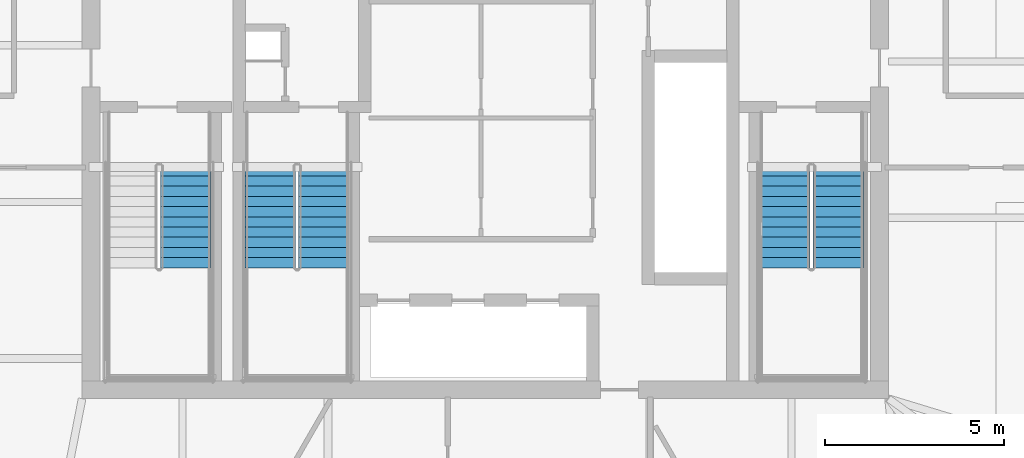
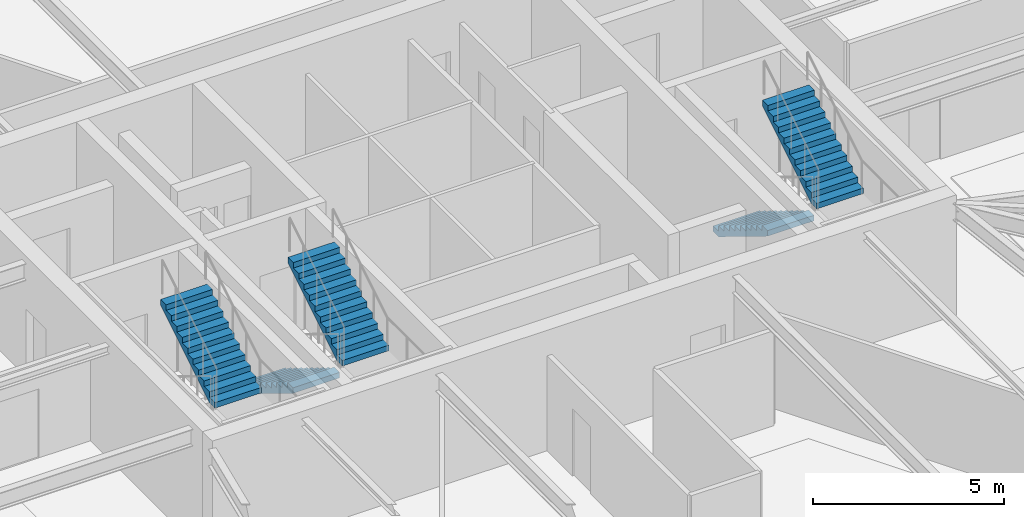
# One storey, part 16 of 20: 5 stair flights, 3 elements without a shape of their own.
"""IFC4 building model written with IfcOpenShell, lengths in metres."""

from ifc_helpers import new_model, si_unit, direction, frame, origin, place, context, subcontext, project, spatial, polyline, outline, extrude, material, type_object, element, aggregate, save


model = new_model("IFC4")

# Units and contexts
model_context = context("Model", 3, precision=1e-05, world=origin(), true_north=direction((0.0, 1.0)))
body_context = subcontext(model_context, "Body", "Model", "MODEL_VIEW")
ifc_project = project(units=[si_unit("LENGTHUNIT", "METRE"), si_unit("AREAUNIT", "SQUARE_METRE"), si_unit("VOLUMEUNIT", "CUBIC_METRE"), si_unit("PLANEANGLEUNIT", "RADIAN"), si_unit("MASSUNIT", "GRAM", prefix="KILO")], contexts=[model_context])

# Site, building, storey
site_placement = place(None, origin())
site = spatial("IfcSite", under=ifc_project, at=site_placement, CompositionType="ELEMENT")
building_placement = place(site_placement, origin())
building = spatial("IfcBuilding", under=site, at=building_placement, Name="Bramvorn Convention Spire", CompositionType="ELEMENT")
storey_placement = place(building_placement, frame((0.0, 0.0, 175.050048828125)))
storey = spatial("IfcBuildingStorey", under=building, at=storey_placement, Name="L44", CompositionType="ELEMENT", Elevation=175.050048828125)

# Stair, stair flight
ifc_material_1 = material(Name="Concrete C40/50 Precast Stair", Category="concrete")
stair_type = type_object("IfcStairType", Name="ST-TOWER-1550", PredefinedType="HALF_TURN_STAIR", material=ifc_material_1)
stair_1_placement = place(storey_placement, origin())
stair_1 = element("IfcStair", 1, at=stair_1_placement, inside=storey, type_object=stair_type, Name="L44 Protected Exit Stair ST1", PredefinedType="HALF_TURN_STAIR")
ifc_material_2 = material(Name="Concrete C40/50 Precast Stair Flight", Category="concrete")
stair_flight_type = type_object("IfcStairFlightType", Name="STF-TOWER-1550", PredefinedType="STRAIGHT", material=ifc_material_2)
stair_flight_1_placement = place(storey_placement, frame((29.64501953125, 22.199951171875, 1.925048828125), z_axis=(0.0, 0.0, 1.0), x_axis=(0.0, 1.0, 0.0)))
stair_flight_1 = element("IfcStairFlight", 2, at=stair_flight_1_placement, type_object=stair_flight_type, Name="ST1 flight 2", NumberOfRisers=11, NumberOfTreads=10, PredefinedType="STRAIGHT", RiserHeight=0.175, TreadLength=0.285, context=body_context, shape_type="SweptSolid", body=[
    extrude(outline(polyline([(0.0, 0.0), (0.0, 0.175048828125), (0.284912109375, 0.175048828125), (0.284912109375, 0.35009765625), (0.570068359375, 0.35009765625), (0.570068359375, 0.52490234375), (0.85498046875, 0.52490234375), (0.85498046875, 0.699951171875), (1.139892578125, 0.699951171875), (1.139892578125, 0.875), (1.425048828125, 0.875), (1.425048828125, 1.050048828125), (1.7099609375, 1.050048828125), (1.7099609375, 1.22509765625), (1.9951171875, 1.22509765625), (1.9951171875, 1.39990234375), (2.280029296875, 1.39990234375), (2.280029296875, 1.574951171875), (2.56494140625, 1.574951171875), (2.56494140625, 1.75), (2.85009765625, 1.75), (2.85009765625, 1.925048828125), (2.85009765625, 1.573974609375), (0.286376953125, 0.0), (0.0, 0.0)])), frame((0.0, 0.705078125, 0.0), z_axis=(0.0, -1.0, 0.0), x_axis=(1.0, 0.0, 0.0)), (0.0, 0.0, 1.0), 1.409912109375),
])
aggregate(stair_1, [stair_flight_1])

# Stair, stair flights
stair_2_placement = place(storey_placement, origin())
stair_2 = element("IfcStair", 3, at=stair_2_placement, inside=storey, type_object=stair_type, Name="L44 Protected Exit Stair ST2", PredefinedType="HALF_TURN_STAIR")
stair_flight_2_placement = place(storey_placement, frame((46.35498046875, 25.050048828125, 0.0), z_axis=(0.0, 0.0, 1.0), x_axis=(0.0, -1.0, 0.0)))
stair_flight_2 = element("IfcStairFlight", 4, at=stair_flight_2_placement, type_object=stair_flight_type, Name="ST2 flight 1", NumberOfRisers=11, NumberOfTreads=10, PredefinedType="STRAIGHT", RiserHeight=0.175, TreadLength=0.285, context=body_context, shape_type="SweptSolid", body=[
    extrude(outline(polyline([(0.0, 0.0), (0.0, 0.175048828125), (0.284912109375, 0.175048828125), (0.284912109375, 0.35009765625), (0.570068359375, 0.35009765625), (0.570068359375, 0.52490234375), (0.85498046875, 0.52490234375), (0.85498046875, 0.699951171875), (1.139892578125, 0.699951171875), (1.139892578125, 0.875), (1.425048828125, 0.875), (1.425048828125, 1.050048828125), (1.7099609375, 1.050048828125), (1.7099609375, 1.22509765625), (1.9951171875, 1.22509765625), (1.9951171875, 1.39990234375), (2.280029296875, 1.39990234375), (2.280029296875, 1.574951171875), (2.56494140625, 1.574951171875), (2.56494140625, 1.75), (2.85009765625, 1.75), (2.85009765625, 1.925048828125), (2.85009765625, 1.573974609375), (0.286376953125, 0.0), (0.0, 0.0)])), frame((0.0, 0.705078125, 0.0), z_axis=(0.0, -1.0, 0.0), x_axis=(1.0, 0.0, 0.0)), (0.0, 0.0, 1.0), 1.409912109375),
])
stair_flight_3_placement = place(storey_placement, frame((47.844970703125, 22.199951171875, 1.925048828125), z_axis=(0.0, 0.0, 1.0), x_axis=(0.0, 1.0, 0.0)))
stair_flight_3 = element("IfcStairFlight", 5, at=stair_flight_3_placement, type_object=stair_flight_type, Name="ST2 flight 2", NumberOfRisers=11, NumberOfTreads=10, PredefinedType="STRAIGHT", RiserHeight=0.175, TreadLength=0.285, context=body_context, shape_type="SweptSolid", body=[
    extrude(outline(polyline([(0.0, 0.0), (0.0, 0.175048828125), (0.284912109375, 0.175048828125), (0.284912109375, 0.35009765625), (0.570068359375, 0.35009765625), (0.570068359375, 0.52490234375), (0.85498046875, 0.52490234375), (0.85498046875, 0.699951171875), (1.139892578125, 0.699951171875), (1.139892578125, 0.875), (1.425048828125, 0.875), (1.425048828125, 1.050048828125), (1.7099609375, 1.050048828125), (1.7099609375, 1.22509765625), (1.9951171875, 1.22509765625), (1.9951171875, 1.39990234375), (2.280029296875, 1.39990234375), (2.280029296875, 1.574951171875), (2.56494140625, 1.574951171875), (2.56494140625, 1.75), (2.85009765625, 1.75), (2.85009765625, 1.925048828125), (2.85009765625, 1.573974609375), (0.286376953125, 0.0), (0.0, 0.0)])), frame((0.0, 0.705078125, 0.0), z_axis=(0.0, -1.0, 0.0), x_axis=(1.0, 0.0, 0.0)), (0.0, 0.0, 1.0), 1.409912109375),
])
aggregate(stair_2, [stair_flight_2, stair_flight_3])

stair_3_placement = place(storey_placement, origin())
stair_3 = element("IfcStair", 6, at=stair_3_placement, inside=storey, type_object=stair_type, Name="L44 Protected Exit Stair ST3", PredefinedType="HALF_TURN_STAIR")
stair_flight_4_placement = place(storey_placement, frame((32.0048828125, 25.050048828125, 0.0), z_axis=(0.0, 0.0, 1.0), x_axis=(0.0, -1.0, 0.0)))
stair_flight_4 = element("IfcStairFlight", 7, at=stair_flight_4_placement, type_object=stair_flight_type, Name="ST3 flight 1", NumberOfRisers=11, NumberOfTreads=10, PredefinedType="STRAIGHT", RiserHeight=0.175, TreadLength=0.285, context=body_context, shape_type="SweptSolid", body=[
    extrude(outline(polyline([(0.0, 0.0), (0.0, 0.175048828125), (0.284912109375, 0.175048828125), (0.284912109375, 0.35009765625), (0.570068359375, 0.35009765625), (0.570068359375, 0.52490234375), (0.85498046875, 0.52490234375), (0.85498046875, 0.699951171875), (1.139892578125, 0.699951171875), (1.139892578125, 0.875), (1.425048828125, 0.875), (1.425048828125, 1.050048828125), (1.7099609375, 1.050048828125), (1.7099609375, 1.22509765625), (1.9951171875, 1.22509765625), (1.9951171875, 1.39990234375), (2.280029296875, 1.39990234375), (2.280029296875, 1.574951171875), (2.56494140625, 1.574951171875), (2.56494140625, 1.75), (2.85009765625, 1.75), (2.85009765625, 1.925048828125), (2.85009765625, 1.573974609375), (0.286376953125, 0.0), (0.0, 0.0)])), frame((0.0, 0.705078125, 0.0), z_axis=(0.0, -1.0, 0.0), x_axis=(1.0, 0.0, 0.0)), (0.0, 0.0, 1.0), 1.409912109375),
])
stair_flight_5_placement = place(storey_placement, frame((33.4951171875, 22.199951171875, 1.925048828125), z_axis=(0.0, 0.0, 1.0), x_axis=(0.0, 1.0, 0.0)))
stair_flight_5 = element("IfcStairFlight", 8, at=stair_flight_5_placement, type_object=stair_flight_type, Name="ST3 flight 2", NumberOfRisers=11, NumberOfTreads=10, PredefinedType="STRAIGHT", RiserHeight=0.175, TreadLength=0.285, context=body_context, shape_type="SweptSolid", body=[
    extrude(outline(polyline([(0.0, 0.0), (0.0, 0.175048828125), (0.284912109375, 0.175048828125), (0.284912109375, 0.35009765625), (0.570068359375, 0.35009765625), (0.570068359375, 0.52490234375), (0.85498046875, 0.52490234375), (0.85498046875, 0.699951171875), (1.139892578125, 0.699951171875), (1.139892578125, 0.875), (1.425048828125, 0.875), (1.425048828125, 1.050048828125), (1.7099609375, 1.050048828125), (1.7099609375, 1.22509765625), (1.9951171875, 1.22509765625), (1.9951171875, 1.39990234375), (2.280029296875, 1.39990234375), (2.280029296875, 1.574951171875), (2.56494140625, 1.574951171875), (2.56494140625, 1.75), (2.85009765625, 1.75), (2.85009765625, 1.925048828125), (2.85009765625, 1.573974609375), (0.286376953125, 0.0), (0.0, 0.0)])), frame((0.0, 0.705078125, 0.0), z_axis=(0.0, -1.0, 0.0), x_axis=(1.0, 0.0, 0.0)), (0.0, 0.0, 1.0), 1.409912109375),
])
aggregate(stair_3, [stair_flight_4, stair_flight_5])

save(model, "model.ifc")
